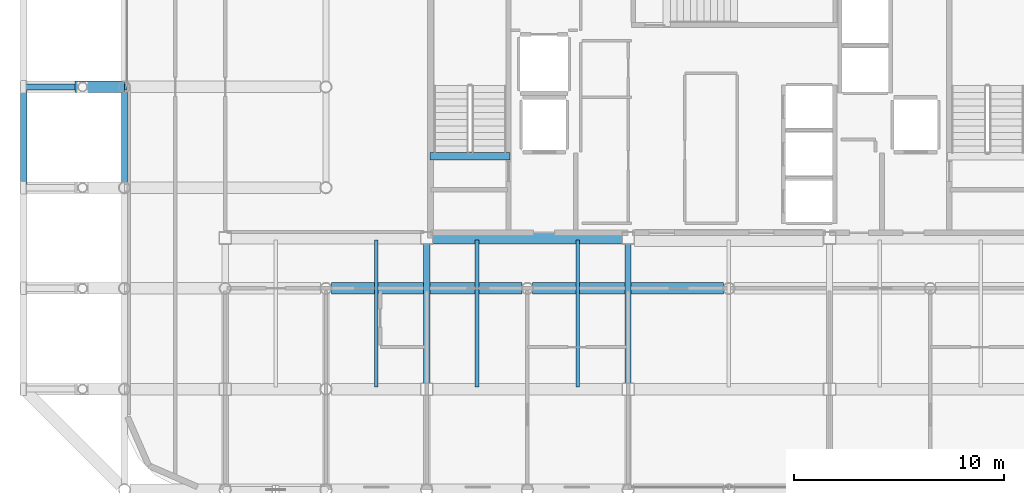
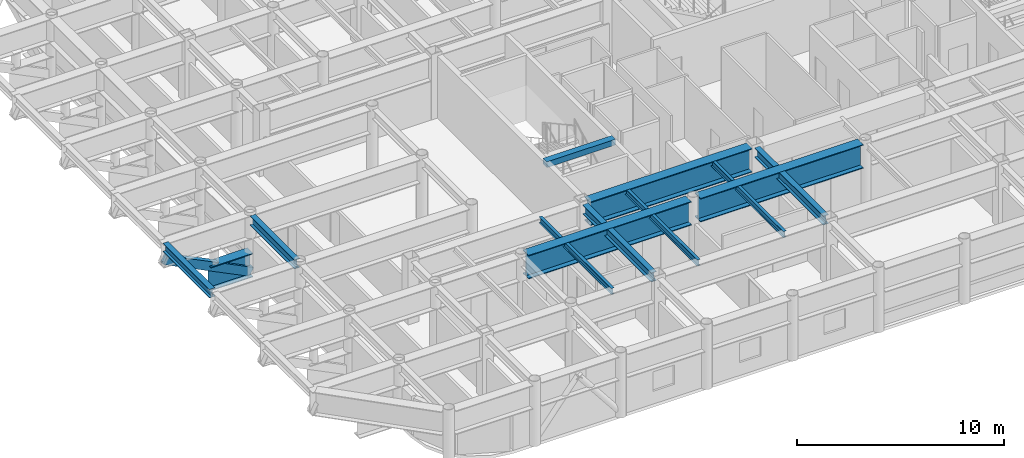
# One storey, part 7 of 27: 12 beams, 1 member.
"""IFC4 building model written with IfcOpenShell, lengths in metres."""

from ifc_helpers import new_model, si_unit, direction, frame, origin, origin_2d, place, context, subcontext, project, spatial, rectangle, hollow_rectangle, i_section, extrude, material, material_profile, profile_set, type_object, element, save


model = new_model("IFC4")

# Units and contexts
model_context = context("Model", 3, precision=1e-05, world=origin(), true_north=direction((0.0, 1.0)))
body_context = subcontext(model_context, "Body", "Model", "MODEL_VIEW")
ifc_project = project(units=[si_unit("LENGTHUNIT", "METRE"), si_unit("AREAUNIT", "SQUARE_METRE"), si_unit("VOLUMEUNIT", "CUBIC_METRE"), si_unit("PLANEANGLEUNIT", "RADIAN"), si_unit("MASSUNIT", "GRAM", prefix="KILO")], contexts=[model_context])

# Site, building, storey
site_placement = place(None, origin())
site = spatial("IfcSite", under=ifc_project, at=site_placement, CompositionType="ELEMENT")
building_placement = place(site_placement, origin())
building = spatial("IfcBuilding", under=site, at=building_placement, Name="Kallvorn Hotel Tower", CompositionType="ELEMENT")
storey_placement = place(building_placement, frame((0.0, 0.0, 245.39990234375)))
storey = spatial("IfcBuildingStorey", under=building, at=storey_placement, Name="L61", CompositionType="ELEMENT", Elevation=245.39990234375)

# Beams
ifc_material_1 = material(Name="Structural steel S355JR", Category="steel")
ifc_material_profile_1 = material_profile(ifc_material_1, i_section(OverallWidth=0.300048828125, OverallDepth=0.5, WebThickness=0.014404296875, FlangeThickness=0.028076171875, at=origin_2d()), Name="HE 500 B")
ifc_profile_set_1 = profile_set([ifc_material_profile_1], Name="Structural steel S355JR")
beam_type_1 = type_object("IfcBeamType", Name="BM_HE500B", PredefinedType="SPANDREL", material=ifc_profile_set_1)
beam_1_placement = place(storey_placement, frame((-33.60009765625, -4.64990234375, 3.420166015625), z_axis=(0.0, 1.0, 0.0), x_axis=(-1.0, 0.0, 0.0)))
element("IfcBeam", 1, at=beam_1_placement, inside=storey, type_object=beam_type_1, Name="L62 Perimeter Spandrel 185", PredefinedType="SPANDREL", context=body_context, shape_type="SweptSolid", body=[
    extrude(i_section(OverallWidth=0.300048828125, OverallDepth=0.5, WebThickness=0.014404296875, FlangeThickness=0.028076171875, at=origin_2d()), origin(), (0.0, 0.0, 1.0), 4.5),
])
ifc_material_2 = material(Name="Structural steel S355JR", Category="steel")
ifc_material_profile_2 = material_profile(ifc_material_2, i_section(OverallWidth=0.300048828125, OverallDepth=0.550048828125, WebThickness=0.014892578125, FlangeThickness=0.029052734375, at=origin_2d()), Name="HE 550 B")
ifc_profile_set_2 = profile_set([ifc_material_profile_2], Name="Structural steel S355JR")
beam_type_2 = type_object("IfcBeamType", Name="BM_HE550B", PredefinedType="SPANDREL", material=ifc_profile_set_2)
beam_2_placement = place(storey_placement, frame((-28.800048828125, -4.54541015625, 3.39501953125), z_axis=(0.0, 1.0, 0.0), x_axis=(-1.0, 0.0, 0.0)))
element("IfcBeam", 2, at=beam_2_placement, inside=storey, type_object=beam_type_2, Name="L62 Primary Y-Girder 85", PredefinedType="SPANDREL", context=body_context, shape_type="SweptSolid", body=[
    extrude(i_section(OverallWidth=0.300048828125, OverallDepth=0.550048828125, WebThickness=0.014892578125, FlangeThickness=0.029052734375, at=origin_2d()), origin(), (0.0, 0.0, 1.0), 4.291015625),
])
for number, where, z_axis, x_axis, name in (
    (3, (-14.39990234375, -14.125, 3.39501953125), (0.0, 1.0, 0.0), (-1.0, 0.0, 0.0), "L62 Primary Y-Girder 107"),
    (4, (-4.800048828125, -14.125, 3.39501953125), (0.0, 1.0, 0.0), (-1.0, 0.0, 0.0), "L62 Primary Y-Girder 115"),
):
    element("IfcBeam", number, at=place(storey_placement, frame(where, z_axis=z_axis, x_axis=x_axis)), inside=storey, type_object=beam_type_2, Name=name, PredefinedType="SPANDREL", context=body_context, shape_type="SweptSolid", body=[
        extrude(i_section(OverallWidth=0.300048828125, OverallDepth=0.550048828125, WebThickness=0.014892578125, FlangeThickness=0.029052734375, at=origin_2d()), origin(), (0.0, 0.0, 1.0), 6.64990234375),
    ])
ifc_material_3 = material(Name="Structural steel S355JR", Category="steel")
ifc_material_profile_3 = material_profile(ifc_material_3, i_section(OverallWidth=0.169921875, OverallDepth=0.360107421875, WebThickness=0.008056640625, FlangeThickness=0.0126953125, at=origin_2d()), Name="IPE 360")
ifc_profile_set_3 = profile_set([ifc_material_profile_3], Name="Structural steel S355JR")
beam_type_3 = type_object("IfcBeamType", Name="BM_IPE360", PredefinedType="JOIST", material=ifc_profile_set_3)
for number, where, z_axis, x_axis, name in (
    (5, (-16.800048828125, -14.300048828125, 3.489990234375), (0.0, 1.0, 0.0), (-1.0, 0.0, 0.0), "L62 Secondary Composite Joist 203"),
    (6, (-12.0, -14.300048828125, 3.489990234375), (0.0, 1.0, 0.0), (-1.0, 0.0, 0.0), "L62 Secondary Composite Joist 205"),
    (7, (-7.199951171875, -14.300048828125, 3.489990234375), (0.0, 1.0, 0.0), (-1.0, 0.0, 0.0), "L62 Secondary Composite Joist 207"),
):
    element("IfcBeam", number, at=place(storey_placement, frame(where, z_axis=z_axis, x_axis=x_axis)), inside=storey, type_object=beam_type_3, Name=name, PredefinedType="JOIST", context=body_context, shape_type="SweptSolid", body=[
        extrude(i_section(OverallWidth=0.169921875, OverallDepth=0.360107421875, WebThickness=0.008056640625, FlangeThickness=0.0126953125, at=origin_2d()), origin(), (0.0, 0.0, 1.0), 7.0),
    ])
ifc_material_4 = material(Name="Structural steel S355JR", Category="steel")
ifc_material_profile_4 = material_profile(ifc_material_4, i_section(OverallWidth=0.550048828125, OverallDepth=1.39990234375, WebThickness=0.02490234375, FlangeThickness=0.044921875, at=origin_2d()), Name="PG 1400x550x25x45")
ifc_profile_set_4 = profile_set([ifc_material_profile_4], Name="Structural steel S355JR")
beam_type_4 = type_object("IfcBeamType", Name="BM_PG_1400", PredefinedType="BEAM", material=ifc_profile_set_4)
beam_3_placement = place(storey_placement, frame((-28.800048828125, 0.0, 0.72021484375), z_axis=(-1.0, 0.0, 0.0), x_axis=(0.0, -1.0, 0.0)))
element("IfcBeam", 8, at=beam_3_placement, inside=storey, type_object=beam_type_4, Name="L62 Cantilever Haunch Corbel 04", PredefinedType="BEAM", context=body_context, shape_type="SweptSolid", body=[
    extrude(i_section(OverallWidth=0.550048828125, OverallDepth=1.39990234375, WebThickness=0.02490234375, FlangeThickness=0.044921875, at=origin_2d()), origin(), (0.0, 0.0, 1.0), 2.349853515625),
])
for number, where, z_axis, x_axis, name in (
    (9, (-18.945556640625, -9.60009765625, 2.97021484375), (1.0, 0.0, 0.0), (0.0, 1.0, 0.0), "L62 Primary X-Girder 34"),
    (10, (-9.345458984375, -9.60009765625, 2.97021484375), (1.0, 0.0, 0.0), (0.0, 1.0, 0.0), "L62 Primary X-Girder 35"),
):
    element("IfcBeam", number, at=place(storey_placement, frame(where, z_axis=z_axis, x_axis=x_axis)), inside=storey, type_object=beam_type_4, Name=name, PredefinedType="BEAM", context=body_context, shape_type="SweptSolid", body=[
        extrude(i_section(OverallWidth=0.550048828125, OverallDepth=1.39990234375, WebThickness=0.02490234375, FlangeThickness=0.044921875, at=origin_2d()), origin(), (0.0, 0.0, 1.0), 9.091064453125),
    ])
beam_4_placement = place(storey_placement, frame((-14.125, -7.199951171875, 2.97021484375), z_axis=(1.0, 0.0, 0.0), x_axis=(0.0, 1.0, 0.0)))
element("IfcBeam", 11, at=beam_4_placement, inside=storey, type_object=beam_type_4, Name="L62 Primary X-Girder 42", PredefinedType="BEAM", context=body_context, shape_type="SweptSolid", body=[
    extrude(i_section(OverallWidth=0.550048828125, OverallDepth=1.39990234375, WebThickness=0.02490234375, FlangeThickness=0.044921875, at=origin_2d()), origin(), (0.0, 0.0, 1.0), 9.050048828125),
])
ifc_material_5 = material(Name="Concrete C50/60", Category="concrete")
ifc_material_profile_5 = material_profile(ifc_material_5, rectangle(XDim=0.360107421875, YDim=0.340087890625, at=origin_2d()), Name="RC 360x340")
ifc_profile_set_5 = profile_set([ifc_material_profile_5], Name="Concrete C50/60")
beam_type_5 = type_object("IfcBeamType", Name="BM_RC_400x360", PredefinedType="BEAM", material=ifc_profile_set_5)
beam_5_placement = place(storey_placement, frame((-10.419921875, -3.31005859375, 3.5), z_axis=(-1.0, 0.0, 0.0), x_axis=(0.0, -1.0, 0.0)))
element("IfcBeam", 12, at=beam_5_placement, inside=storey, type_object=beam_type_5, Name="L62 Stair ST1 Arrival Trimmer Beam", PredefinedType="BEAM", context=body_context, shape_type="SweptSolid", body=[
    extrude(rectangle(XDim=0.360107421875, YDim=0.340087890625, at=origin_2d()), origin(), (0.0, 0.0, 1.0), 3.820068359375),
])

# Member
ifc_material_6 = material(Name="Structural steel S355J2H", Category="steel")
ifc_material_profile_6 = material_profile(ifc_material_6, hollow_rectangle(XDim=0.300048828125, YDim=0.5, WallThickness=0.02490234375, at=origin_2d()), Name="RHS 500x300x25")
ifc_profile_set_6 = profile_set([ifc_material_profile_6], Name="Structural steel S355J2H")
member_type = type_object("IfcMemberType", Name="MBR_OUTRIGGER_RHS500", PredefinedType="BRACE", material=ifc_profile_set_6)
member_placement = place(storey_placement, frame((-28.800048828125, 0.0, 0.25), z_axis=(-0.896650696442, 0.0, 0.442738668484), x_axis=(0.0, -1.0, 0.0)))
element("IfcMember", 13, at=member_placement, inside=storey, type_object=member_type, Name="L62 Exoskeleton Cantilever Raking Strut 04", PredefinedType="BRACE", context=body_context, shape_type="SweptSolid", body=[
    extrude(hollow_rectangle(XDim=0.300048828125, YDim=0.5, WallThickness=0.02490234375, at=origin_2d()), origin(), (0.0, 0.0, 1.0), 5.353271484375),
])

save(model, "model.ifc")
